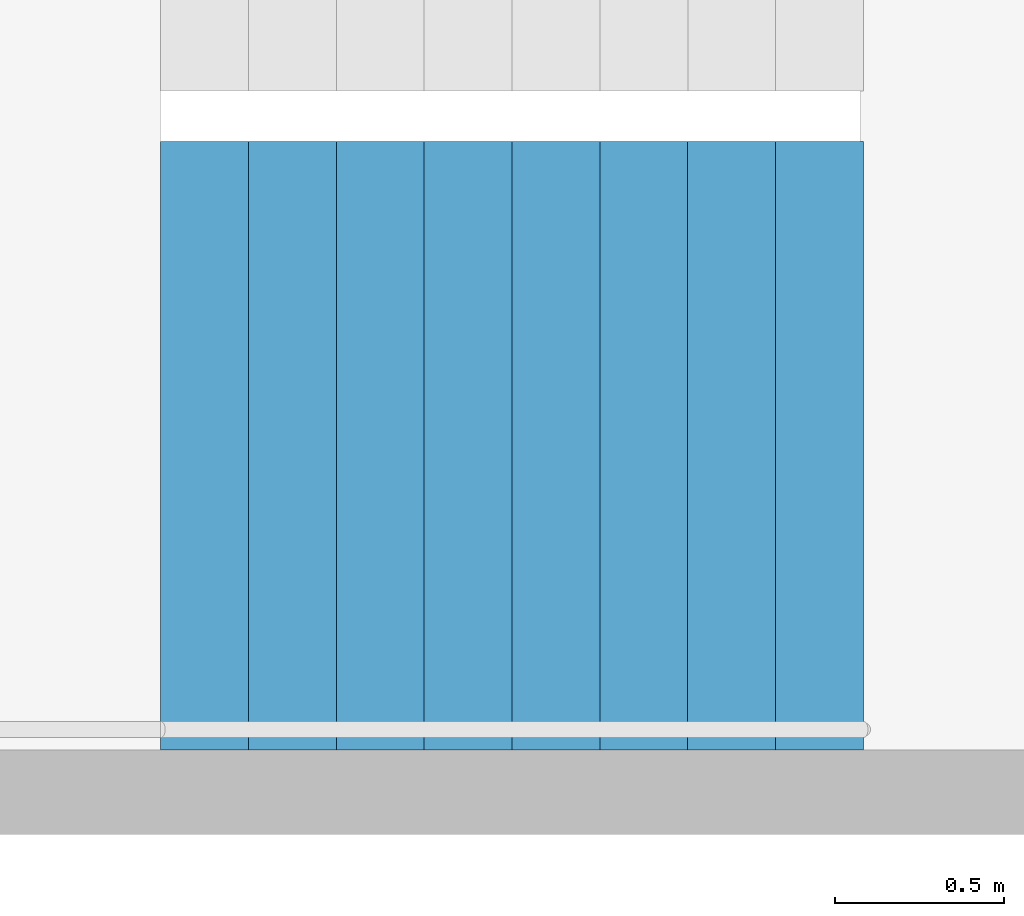
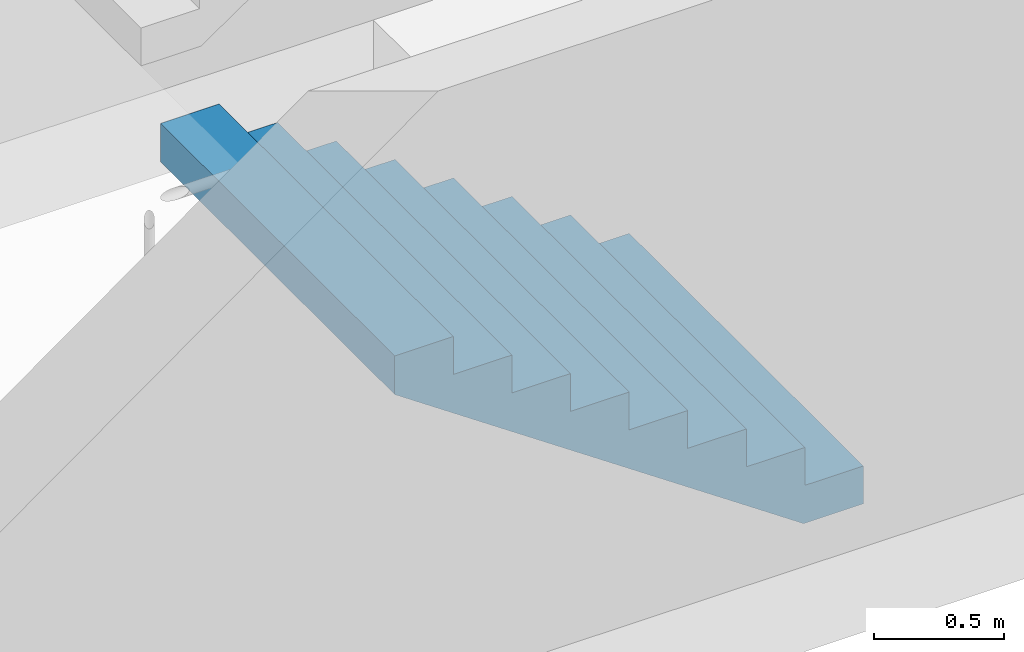
# One storey, part 27 of 29: 1 stair flight, 1 element without a shape of its own.
"""IFC4 building model written with IfcOpenShell, lengths in metres."""

from ifc_helpers import new_model, si_unit, direction, frame, origin, place, context, subcontext, project, spatial, triangles, material, type_object, element, aggregate, save


model = new_model("IFC4")

# Units and contexts
model_context = context("Model", 3, precision=1e-05, world=origin(), true_north=direction((0.0, 1.0)))
body_context = subcontext(model_context, "Body", "Model", "MODEL_VIEW")
ifc_project = project(units=[si_unit("LENGTHUNIT", "METRE"), si_unit("AREAUNIT", "SQUARE_METRE"), si_unit("VOLUMEUNIT", "CUBIC_METRE"), si_unit("PLANEANGLEUNIT", "RADIAN"), si_unit("MASSUNIT", "GRAM", prefix="KILO")], contexts=[model_context])

# Site, building, storey
site_placement = place(None, origin())
site = spatial("IfcSite", under=ifc_project, at=site_placement, CompositionType="ELEMENT")
building_placement = place(site_placement, origin())
building = spatial("IfcBuilding", under=site, at=building_placement, Name="Hakoniwa Tower and Hamabe Station Hall", CompositionType="ELEMENT")
storey_placement = place(building_placement, frame((0.0, 0.0, 45.39990234375)))
storey = spatial("IfcBuildingStorey", under=building, at=storey_placement, Name="L12", CompositionType="ELEMENT", Elevation=45.39990234375)

# Stair, stair flight
ifc_material_1 = material(Name="Concrete C40", Category="concrete")
stair_type = type_object("IfcStairType", Name="ESCAPE STAIR 1800", PredefinedType="HALF_TURN_STAIR", material=ifc_material_1)
stair_placement = place(storey_placement, origin())
stair = element("IfcStair", 1, at=stair_placement, inside=storey, type_object=stair_type, Name="Escape stair ST-3 L12", PredefinedType="HALF_TURN_STAIR")
ifc_material_2 = material(Name="Concrete C40", Category="concrete")
stair_flight_type = type_object("IfcStairFlightType", Name="STAIR FLIGHT 1800", PredefinedType="STRAIGHT", material=ifc_material_2)
stair_flight_placement = place(storey_placement, frame((24.39990234375, 4.64990234375, 0.0), z_axis=(0.0, 0.0, 1.0), x_axis=(-1.0, 0.0, 0.0)))
stair_flight = element("IfcStairFlight", 2, at=stair_flight_placement, type_object=stair_flight_type, Name="ST-3 flight 1", NumberOfRisers=9, NumberOfTreads=8, PredefinedType="STRAIGHT", RiserHeight=0.177777778, TreadLength=0.26, context=body_context, shape_type="Tessellation", body=[
    triangles([(0.0, 0.89990234375, 0.0), (0.260009765625, 0.89990234375, 0.0), (0.265625, 0.89990234375, 0.0), (0.52001953125, 0.89990234375, 0.174072265625), (0.780029296875, 0.89990234375, 0.351806640625), (1.0400390625, 0.89990234375, 0.529541015625), (1.300048828125, 0.89990234375, 0.707275390625), (1.56005859375, 0.89990234375, 0.885009765625), (1.820068359375, 0.89990234375, 1.062744140625), (2.080078125, 0.89990234375, 1.24072265625), (2.080078125, 0.89990234375, 1.422119140625), (1.820068359375, 0.89990234375, 1.422119140625), (1.820068359375, 0.89990234375, 1.244384765625), (1.56005859375, 0.89990234375, 1.244384765625), (1.56005859375, 0.89990234375, 1.066650390625), (1.300048828125, 0.89990234375, 1.066650390625), (1.300048828125, 0.89990234375, 0.888916015625), (1.0400390625, 0.89990234375, 0.888916015625), (1.0400390625, 0.89990234375, 0.711181640625), (0.780029296875, 0.89990234375, 0.711181640625), (0.780029296875, 0.89990234375, 0.533447265625), (0.52001953125, 0.89990234375, 0.533447265625), (0.52001953125, 0.89990234375, 0.35546875), (0.265625, 0.89990234375, 0.35546875), (0.260009765625, 0.89990234375, 0.35546875), (0.260009765625, 0.89990234375, 0.177734375), (0.0, 0.89990234375, 0.177734375), (0.0, 0.06005859375, 0.0), (0.260009765625, 0.06005859375, 0.0), (0.265625, 0.06005859375, 0.0), (0.52001953125, 0.06005859375, 0.174072265625), (0.780029296875, 0.06005859375, 0.351806640625), (1.0400390625, 0.06005859375, 0.529541015625), (1.300048828125, 0.06005859375, 0.707275390625), (1.56005859375, 0.06005859375, 0.885009765625), (1.820068359375, 0.06005859375, 1.062744140625), (2.080078125, 0.06005859375, 1.24072265625), (2.080078125, 0.06005859375, 1.422119140625), (1.820068359375, 0.06005859375, 1.422119140625), (1.820068359375, 0.06005859375, 1.244384765625), (1.56005859375, 0.06005859375, 1.244384765625), (1.56005859375, 0.06005859375, 1.066650390625), (1.300048828125, 0.06005859375, 1.066650390625), (1.300048828125, 0.06005859375, 0.888916015625), (1.0400390625, 0.06005859375, 0.888916015625), (1.0400390625, 0.06005859375, 0.711181640625), (0.780029296875, 0.06005859375, 0.711181640625), (0.780029296875, 0.06005859375, 0.533447265625), (0.52001953125, 0.06005859375, 0.533447265625), (0.52001953125, 0.06005859375, 0.35546875), (0.265625, 0.06005859375, 0.35546875), (0.260009765625, 0.06005859375, 0.35546875), (0.260009765625, 0.06005859375, 0.177734375), (0.0, 0.06005859375, 0.177734375), (0.0, 0.04296875, 0.0), (0.260009765625, 0.04296875, 0.0), (0.265625, 0.04296875, 0.0), (0.52001953125, 0.04296875, 0.174072265625), (0.780029296875, 0.04296875, 0.351806640625), (1.0400390625, 0.04296875, 0.529541015625), (1.300048828125, 0.04296875, 0.707275390625), (1.56005859375, 0.04296875, 0.885009765625), (1.820068359375, 0.04296875, 1.062744140625), (2.080078125, 0.04296875, 1.24072265625), (2.080078125, 0.04296875, 1.422119140625), (1.820068359375, 0.04296875, 1.422119140625), (1.820068359375, 0.04296875, 1.244384765625), (1.56005859375, 0.04296875, 1.244384765625), (1.56005859375, 0.04296875, 1.066650390625), (1.300048828125, 0.04296875, 1.066650390625), (1.300048828125, 0.04296875, 0.888916015625), (1.0400390625, 0.04296875, 0.888916015625), (1.0400390625, 0.04296875, 0.711181640625), (0.780029296875, 0.04296875, 0.711181640625), (0.780029296875, 0.04296875, 0.533447265625), (0.52001953125, 0.04296875, 0.533447265625), (0.52001953125, 0.04296875, 0.35546875), (0.265625, 0.04296875, 0.35546875), (0.260009765625, 0.04296875, 0.35546875), (0.260009765625, 0.04296875, 0.177734375), (0.0, 0.04296875, 0.177734375), (0.0, 0.025634765625, 0.0), (0.260009765625, 0.025634765625, 0.0), (0.265625, 0.025634765625, 0.0), (0.52001953125, 0.025634765625, 0.174072265625), (0.780029296875, 0.025634765625, 0.351806640625), (1.0400390625, 0.025634765625, 0.529541015625), (1.300048828125, 0.025634765625, 0.707275390625), (1.56005859375, 0.025634765625, 0.885009765625), (1.820068359375, 0.025634765625, 1.062744140625), (2.080078125, 0.025634765625, 1.24072265625), (2.080078125, 0.025634765625, 1.422119140625), (1.820068359375, 0.025634765625, 1.422119140625), (1.820068359375, 0.025634765625, 1.244384765625), (1.56005859375, 0.025634765625, 1.244384765625), (1.56005859375, 0.025634765625, 1.066650390625), (1.300048828125, 0.025634765625, 1.066650390625), (1.300048828125, 0.025634765625, 0.888916015625), (1.0400390625, 0.025634765625, 0.888916015625), (1.0400390625, 0.025634765625, 0.711181640625), (0.780029296875, 0.025634765625, 0.711181640625), (0.780029296875, 0.025634765625, 0.533447265625), (0.52001953125, 0.025634765625, 0.533447265625), (0.52001953125, 0.025634765625, 0.35546875), (0.265625, 0.025634765625, 0.35546875), (0.260009765625, 0.025634765625, 0.35546875), (0.260009765625, 0.025634765625, 0.177734375), (0.0, 0.025634765625, 0.177734375), (0.0, 0.008544921875, 0.0), (0.260009765625, 0.008544921875, 0.0), (0.265625, 0.008544921875, 0.0), (0.52001953125, 0.008544921875, 0.174072265625), (0.780029296875, 0.008544921875, 0.351806640625), (1.0400390625, 0.008544921875, 0.529541015625), (1.300048828125, 0.008544921875, 0.707275390625), (1.56005859375, 0.008544921875, 0.885009765625), (1.820068359375, 0.008544921875, 1.062744140625), (2.080078125, 0.008544921875, 1.24072265625), (2.080078125, 0.008544921875, 1.422119140625), (1.820068359375, 0.008544921875, 1.422119140625), (1.820068359375, 0.008544921875, 1.244384765625), (1.56005859375, 0.008544921875, 1.244384765625), (1.56005859375, 0.008544921875, 1.066650390625), (1.300048828125, 0.008544921875, 1.066650390625), (1.300048828125, 0.008544921875, 0.888916015625), (1.0400390625, 0.008544921875, 0.888916015625), (1.0400390625, 0.008544921875, 0.711181640625), (0.780029296875, 0.008544921875, 0.711181640625), (0.780029296875, 0.008544921875, 0.533447265625), (0.52001953125, 0.008544921875, 0.533447265625), (0.52001953125, 0.008544921875, 0.35546875), (0.265625, 0.008544921875, 0.35546875), (0.260009765625, 0.008544921875, 0.35546875), (0.260009765625, 0.008544921875, 0.177734375), (0.0, 0.008544921875, 0.177734375), (0.0, -0.008544921875, 0.0), (0.260009765625, -0.008544921875, 0.0), (0.265625, -0.008544921875, 0.0), (0.52001953125, -0.008544921875, 0.174072265625), (0.780029296875, -0.008544921875, 0.351806640625), (1.0400390625, -0.008544921875, 0.529541015625), (1.300048828125, -0.008544921875, 0.707275390625), (1.56005859375, -0.008544921875, 0.885009765625), (1.820068359375, -0.008544921875, 1.062744140625), (2.080078125, -0.008544921875, 1.24072265625), (2.080078125, -0.008544921875, 1.422119140625), (1.820068359375, -0.008544921875, 1.422119140625), (1.820068359375, -0.008544921875, 1.244384765625), (1.56005859375, -0.008544921875, 1.244384765625), (1.56005859375, -0.008544921875, 1.066650390625), (1.300048828125, -0.008544921875, 1.066650390625), (1.300048828125, -0.008544921875, 0.888916015625), (1.0400390625, -0.008544921875, 0.888916015625), (1.0400390625, -0.008544921875, 0.711181640625), (0.780029296875, -0.008544921875, 0.711181640625), (0.780029296875, -0.008544921875, 0.533447265625), (0.52001953125, -0.008544921875, 0.533447265625), (0.52001953125, -0.008544921875, 0.35546875), (0.265625, -0.008544921875, 0.35546875), (0.260009765625, -0.008544921875, 0.35546875), (0.260009765625, -0.008544921875, 0.177734375), (0.0, -0.008544921875, 0.177734375), (0.0, -0.025634765625, 0.0), (0.260009765625, -0.025634765625, 0.0), (0.265625, -0.025634765625, 0.0), (0.52001953125, -0.025634765625, 0.174072265625), (0.780029296875, -0.025634765625, 0.351806640625), (1.0400390625, -0.025634765625, 0.529541015625), (1.300048828125, -0.025634765625, 0.707275390625), (1.56005859375, -0.025634765625, 0.885009765625), (1.820068359375, -0.025634765625, 1.062744140625), (2.080078125, -0.025634765625, 1.24072265625), (2.080078125, -0.025634765625, 1.422119140625), (1.820068359375, -0.025634765625, 1.422119140625), (1.820068359375, -0.025634765625, 1.244384765625), (1.56005859375, -0.025634765625, 1.244384765625), (1.56005859375, -0.025634765625, 1.066650390625), (1.300048828125, -0.025634765625, 1.066650390625), (1.300048828125, -0.025634765625, 0.888916015625), (1.0400390625, -0.025634765625, 0.888916015625), (1.0400390625, -0.025634765625, 0.711181640625), (0.780029296875, -0.025634765625, 0.711181640625), (0.780029296875, -0.025634765625, 0.533447265625), (0.52001953125, -0.025634765625, 0.533447265625), (0.52001953125, -0.025634765625, 0.35546875), (0.265625, -0.025634765625, 0.35546875), (0.260009765625, -0.025634765625, 0.35546875), (0.260009765625, -0.025634765625, 0.177734375), (0.0, -0.025634765625, 0.177734375), (0.0, -0.04296875, 0.0), (0.260009765625, -0.04296875, 0.0), (0.265625, -0.04296875, 0.0), (0.52001953125, -0.04296875, 0.174072265625), (0.780029296875, -0.04296875, 0.351806640625), (1.0400390625, -0.04296875, 0.529541015625), (1.300048828125, -0.04296875, 0.707275390625), (1.56005859375, -0.04296875, 0.885009765625), (1.820068359375, -0.04296875, 1.062744140625), (2.080078125, -0.04296875, 1.24072265625), (2.080078125, -0.04296875, 1.422119140625), (1.820068359375, -0.04296875, 1.422119140625), (1.820068359375, -0.04296875, 1.244384765625), (1.56005859375, -0.04296875, 1.244384765625), (1.56005859375, -0.04296875, 1.066650390625), (1.300048828125, -0.04296875, 1.066650390625), (1.300048828125, -0.04296875, 0.888916015625), (1.0400390625, -0.04296875, 0.888916015625), (1.0400390625, -0.04296875, 0.711181640625), (0.780029296875, -0.04296875, 0.711181640625), (0.780029296875, -0.04296875, 0.533447265625), (0.52001953125, -0.04296875, 0.533447265625), (0.52001953125, -0.04296875, 0.35546875), (0.265625, -0.04296875, 0.35546875), (0.260009765625, -0.04296875, 0.35546875), (0.260009765625, -0.04296875, 0.177734375), (0.0, -0.04296875, 0.177734375), (0.0, -0.06005859375, 0.0), (0.260009765625, -0.06005859375, 0.0), (0.265625, -0.06005859375, 0.0), (0.52001953125, -0.06005859375, 0.174072265625), (0.780029296875, -0.06005859375, 0.351806640625), (1.0400390625, -0.06005859375, 0.529541015625), (1.300048828125, -0.06005859375, 0.707275390625), (1.56005859375, -0.06005859375, 0.885009765625), (1.820068359375, -0.06005859375, 1.062744140625), (2.080078125, -0.06005859375, 1.24072265625), (2.080078125, -0.06005859375, 1.422119140625), (1.820068359375, -0.06005859375, 1.422119140625), (1.820068359375, -0.06005859375, 1.244384765625), (1.56005859375, -0.06005859375, 1.244384765625), (1.56005859375, -0.06005859375, 1.066650390625), (1.300048828125, -0.06005859375, 1.066650390625), (1.300048828125, -0.06005859375, 0.888916015625), (1.0400390625, -0.06005859375, 0.888916015625), (1.0400390625, -0.06005859375, 0.711181640625), (0.780029296875, -0.06005859375, 0.711181640625), (0.780029296875, -0.06005859375, 0.533447265625), (0.52001953125, -0.06005859375, 0.533447265625), (0.52001953125, -0.06005859375, 0.35546875), (0.265625, -0.06005859375, 0.35546875), (0.260009765625, -0.06005859375, 0.35546875), (0.260009765625, -0.06005859375, 0.177734375), (0.0, -0.06005859375, 0.177734375), (0.0, -0.89990234375, 0.0), (0.260009765625, -0.89990234375, 0.0), (0.265625, -0.89990234375, 0.0), (0.52001953125, -0.89990234375, 0.174072265625), (0.780029296875, -0.89990234375, 0.351806640625), (1.0400390625, -0.89990234375, 0.529541015625), (1.300048828125, -0.89990234375, 0.707275390625), (1.56005859375, -0.89990234375, 0.885009765625), (1.820068359375, -0.89990234375, 1.062744140625), (2.080078125, -0.89990234375, 1.24072265625), (2.080078125, -0.89990234375, 1.422119140625), (1.820068359375, -0.89990234375, 1.422119140625), (1.820068359375, -0.89990234375, 1.244384765625), (1.56005859375, -0.89990234375, 1.244384765625), (1.56005859375, -0.89990234375, 1.066650390625), (1.300048828125, -0.89990234375, 1.066650390625), (1.300048828125, -0.89990234375, 0.888916015625), (1.0400390625, -0.89990234375, 0.888916015625), (1.0400390625, -0.89990234375, 0.711181640625), (0.780029296875, -0.89990234375, 0.711181640625), (0.780029296875, -0.89990234375, 0.533447265625), (0.52001953125, -0.89990234375, 0.533447265625), (0.52001953125, -0.89990234375, 0.35546875), (0.265625, -0.89990234375, 0.35546875), (0.260009765625, -0.89990234375, 0.35546875), (0.260009765625, -0.89990234375, 0.177734375), (0.0, -0.89990234375, 0.177734375)], [[2, 27, 26], [245, 269, 270], [2, 1, 27], [245, 270, 244], [3, 25, 24], [246, 267, 268], [3, 26, 25], [246, 268, 269], [3, 2, 26], [246, 269, 245], [4, 24, 23], [247, 266, 267], [4, 3, 24], [247, 267, 246], [5, 22, 21], [248, 264, 265], [5, 23, 22], [248, 265, 266], [5, 4, 23], [248, 266, 247], [6, 20, 19], [249, 262, 263], [6, 21, 20], [249, 263, 264], [6, 5, 21], [249, 264, 248], [7, 18, 17], [250, 260, 261], [7, 19, 18], [250, 261, 262], [7, 6, 19], [250, 262, 249], [8, 16, 15], [251, 258, 259], [8, 17, 16], [251, 259, 260], [8, 7, 17], [251, 260, 250], [9, 14, 13], [252, 256, 257], [9, 15, 14], [252, 257, 258], [9, 8, 15], [252, 258, 251], [10, 12, 11], [253, 254, 255], [10, 13, 12], [253, 255, 256], [10, 9, 13], [253, 256, 252], [1, 2, 29], [1, 29, 28], [28, 29, 56], [28, 56, 55], [55, 56, 83], [55, 83, 82], [82, 83, 110], [82, 110, 109], [109, 110, 137], [109, 137, 136], [136, 137, 164], [136, 164, 163], [163, 164, 191], [163, 191, 190], [190, 191, 218], [190, 218, 217], [217, 218, 245], [217, 245, 244], [2, 3, 30], [2, 30, 29], [29, 30, 57], [29, 57, 56], [56, 57, 84], [56, 84, 83], [83, 84, 111], [83, 111, 110], [110, 111, 138], [110, 138, 137], [137, 138, 165], [137, 165, 164], [164, 165, 192], [164, 192, 191], [191, 192, 219], [191, 219, 218], [218, 219, 246], [218, 246, 245], [3, 4, 31], [3, 31, 30], [30, 31, 58], [30, 58, 57], [57, 58, 85], [57, 85, 84], [84, 85, 112], [84, 112, 111], [111, 112, 139], [111, 139, 138], [138, 139, 166], [138, 166, 165], [165, 166, 193], [165, 193, 192], [192, 193, 220], [192, 220, 219], [219, 220, 247], [219, 247, 246], [4, 5, 32], [4, 32, 31], [31, 32, 59], [31, 59, 58], [58, 59, 86], [58, 86, 85], [85, 86, 113], [85, 113, 112], [112, 113, 140], [112, 140, 139], [139, 140, 167], [139, 167, 166], [166, 167, 194], [166, 194, 193], [193, 194, 221], [193, 221, 220], [220, 221, 248], [220, 248, 247], [5, 6, 33], [5, 33, 32], [32, 33, 60], [32, 60, 59], [59, 60, 87], [59, 87, 86], [86, 87, 114], [86, 114, 113], [113, 114, 141], [113, 141, 140], [140, 141, 168], [140, 168, 167], [167, 168, 195], [167, 195, 194], [194, 195, 222], [194, 222, 221], [221, 222, 249], [221, 249, 248], [6, 7, 34], [6, 34, 33], [33, 34, 61], [33, 61, 60], [60, 61, 88], [60, 88, 87], [87, 88, 115], [87, 115, 114], [114, 115, 142], [114, 142, 141], [141, 142, 169], [141, 169, 168], [168, 169, 196], [168, 196, 195], [195, 196, 223], [195, 223, 222], [222, 223, 250], [222, 250, 249], [7, 8, 35], [7, 35, 34], [34, 35, 62], [34, 62, 61], [61, 62, 89], [61, 89, 88], [88, 89, 116], [88, 116, 115], [115, 116, 143], [115, 143, 142], [142, 143, 170], [142, 170, 169], [169, 170, 197], [169, 197, 196], [196, 197, 224], [196, 224, 223], [223, 224, 251], [223, 251, 250], [8, 9, 36], [8, 36, 35], [35, 36, 63], [35, 63, 62], [62, 63, 90], [62, 90, 89], [89, 90, 117], [89, 117, 116], [116, 117, 144], [116, 144, 143], [143, 144, 171], [143, 171, 170], [170, 171, 198], [170, 198, 197], [197, 198, 225], [197, 225, 224], [224, 225, 252], [224, 252, 251], [9, 10, 37], [9, 37, 36], [36, 37, 64], [36, 64, 63], [63, 64, 91], [63, 91, 90], [90, 91, 118], [90, 118, 117], [117, 118, 145], [117, 145, 144], [144, 145, 172], [144, 172, 171], [171, 172, 199], [171, 199, 198], [198, 199, 226], [198, 226, 225], [225, 226, 253], [225, 253, 252], [10, 11, 38], [10, 38, 37], [37, 38, 65], [37, 65, 64], [64, 65, 92], [64, 92, 91], [91, 92, 119], [91, 119, 118], [118, 119, 146], [118, 146, 145], [145, 146, 173], [145, 173, 172], [172, 173, 200], [172, 200, 199], [199, 200, 227], [199, 227, 226], [226, 227, 254], [226, 254, 253], [11, 12, 39], [11, 39, 38], [38, 39, 66], [38, 66, 65], [65, 66, 93], [65, 93, 92], [92, 93, 120], [92, 120, 119], [119, 120, 147], [119, 147, 146], [146, 147, 174], [146, 174, 173], [173, 174, 201], [173, 201, 200], [200, 201, 228], [200, 228, 227], [227, 228, 255], [227, 255, 254], [12, 13, 40], [12, 40, 39], [39, 40, 67], [39, 67, 66], [66, 67, 94], [66, 94, 93], [93, 94, 121], [93, 121, 120], [120, 121, 148], [120, 148, 147], [147, 148, 175], [147, 175, 174], [174, 175, 202], [174, 202, 201], [201, 202, 229], [201, 229, 228], [228, 229, 256], [228, 256, 255], [13, 14, 41], [13, 41, 40], [40, 41, 68], [40, 68, 67], [67, 68, 95], [67, 95, 94], [94, 95, 122], [94, 122, 121], [121, 122, 149], [121, 149, 148], [148, 149, 176], [148, 176, 175], [175, 176, 203], [175, 203, 202], [202, 203, 230], [202, 230, 229], [229, 230, 257], [229, 257, 256], [14, 15, 42], [14, 42, 41], [41, 42, 69], [41, 69, 68], [68, 69, 96], [68, 96, 95], [95, 96, 123], [95, 123, 122], [122, 123, 150], [122, 150, 149], [149, 150, 177], [149, 177, 176], [176, 177, 204], [176, 204, 203], [203, 204, 231], [203, 231, 230], [230, 231, 258], [230, 258, 257], [15, 16, 43], [15, 43, 42], [42, 43, 70], [42, 70, 69], [69, 70, 97], [69, 97, 96], [96, 97, 124], [96, 124, 123], [123, 124, 151], [123, 151, 150], [150, 151, 178], [150, 178, 177], [177, 178, 205], [177, 205, 204], [204, 205, 232], [204, 232, 231], [231, 232, 259], [231, 259, 258], [16, 17, 44], [16, 44, 43], [43, 44, 71], [43, 71, 70], [70, 71, 98], [70, 98, 97], [97, 98, 125], [97, 125, 124], [124, 125, 152], [124, 152, 151], [151, 152, 179], [151, 179, 178], [178, 179, 206], [178, 206, 205], [205, 206, 233], [205, 233, 232], [232, 233, 260], [232, 260, 259], [17, 18, 45], [17, 45, 44], [44, 45, 72], [44, 72, 71], [71, 72, 99], [71, 99, 98], [98, 99, 126], [98, 126, 125], [125, 126, 153], [125, 153, 152], [152, 153, 180], [152, 180, 179], [179, 180, 207], [179, 207, 206], [206, 207, 234], [206, 234, 233], [233, 234, 261], [233, 261, 260], [18, 19, 46], [18, 46, 45], [45, 46, 73], [45, 73, 72], [72, 73, 100], [72, 100, 99], [99, 100, 127], [99, 127, 126], [126, 127, 154], [126, 154, 153], [153, 154, 181], [153, 181, 180], [180, 181, 208], [180, 208, 207], [207, 208, 235], [207, 235, 234], [234, 235, 262], [234, 262, 261], [19, 20, 47], [19, 47, 46], [46, 47, 74], [46, 74, 73], [73, 74, 101], [73, 101, 100], [100, 101, 128], [100, 128, 127], [127, 128, 155], [127, 155, 154], [154, 155, 182], [154, 182, 181], [181, 182, 209], [181, 209, 208], [208, 209, 236], [208, 236, 235], [235, 236, 263], [235, 263, 262], [20, 21, 48], [20, 48, 47], [47, 48, 75], [47, 75, 74], [74, 75, 102], [74, 102, 101], [101, 102, 129], [101, 129, 128], [128, 129, 156], [128, 156, 155], [155, 156, 183], [155, 183, 182], [182, 183, 210], [182, 210, 209], [209, 210, 237], [209, 237, 236], [236, 237, 264], [236, 264, 263], [21, 22, 49], [21, 49, 48], [48, 49, 76], [48, 76, 75], [75, 76, 103], [75, 103, 102], [102, 103, 130], [102, 130, 129], [129, 130, 157], [129, 157, 156], [156, 157, 184], [156, 184, 183], [183, 184, 211], [183, 211, 210], [210, 211, 238], [210, 238, 237], [237, 238, 265], [237, 265, 264], [22, 23, 50], [22, 50, 49], [49, 50, 77], [49, 77, 76], [76, 77, 104], [76, 104, 103], [103, 104, 131], [103, 131, 130], [130, 131, 158], [130, 158, 157], [157, 158, 185], [157, 185, 184], [184, 185, 212], [184, 212, 211], [211, 212, 239], [211, 239, 238], [238, 239, 266], [238, 266, 265], [23, 24, 51], [23, 51, 50], [50, 51, 78], [50, 78, 77], [77, 78, 105], [77, 105, 104], [104, 105, 132], [104, 132, 131], [131, 132, 159], [131, 159, 158], [158, 159, 186], [158, 186, 185], [185, 186, 213], [185, 213, 212], [212, 213, 240], [212, 240, 239], [239, 240, 267], [239, 267, 266], [24, 25, 52], [24, 52, 51], [51, 52, 79], [51, 79, 78], [78, 79, 106], [78, 106, 105], [105, 106, 133], [105, 133, 132], [132, 133, 160], [132, 160, 159], [159, 160, 187], [159, 187, 186], [186, 187, 214], [186, 214, 213], [213, 214, 241], [213, 241, 240], [240, 241, 268], [240, 268, 267], [25, 26, 53], [25, 53, 52], [52, 53, 80], [52, 80, 79], [79, 80, 107], [79, 107, 106], [106, 107, 134], [106, 134, 133], [133, 134, 161], [133, 161, 160], [160, 161, 188], [160, 188, 187], [187, 188, 215], [187, 215, 214], [214, 215, 242], [214, 242, 241], [241, 242, 269], [241, 269, 268], [26, 27, 54], [26, 54, 53], [53, 54, 81], [53, 81, 80], [80, 81, 108], [80, 108, 107], [107, 108, 135], [107, 135, 134], [134, 135, 162], [134, 162, 161], [161, 162, 189], [161, 189, 188], [188, 189, 216], [188, 216, 215], [215, 216, 243], [215, 243, 242], [242, 243, 270], [242, 270, 269], [27, 1, 28], [27, 28, 54], [54, 28, 55], [54, 55, 81], [81, 55, 82], [81, 82, 108], [108, 82, 109], [108, 109, 135], [135, 109, 136], [135, 136, 162], [162, 136, 163], [162, 163, 189], [189, 163, 190], [189, 190, 216], [216, 190, 217], [216, 217, 243], [243, 217, 244], [243, 244, 270]], closed=True),
])
aggregate(stair, [stair_flight])

save(model, "model.ifc")
